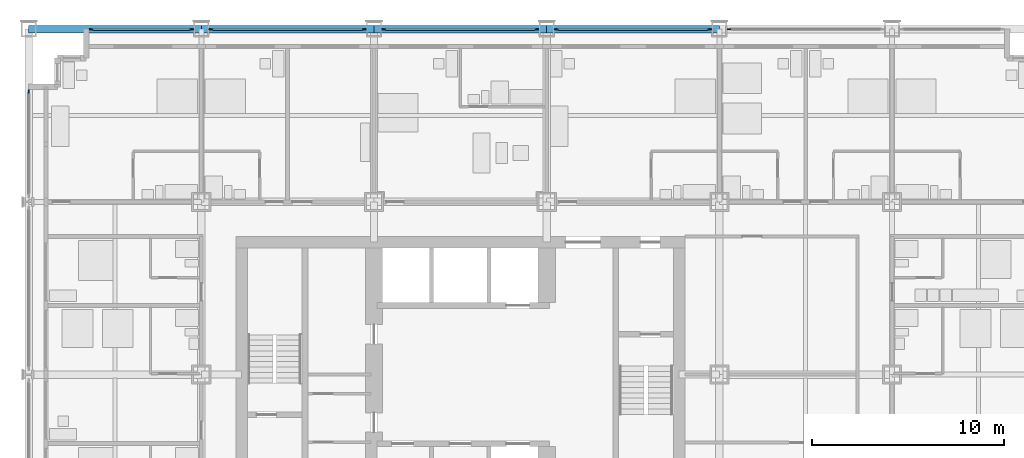
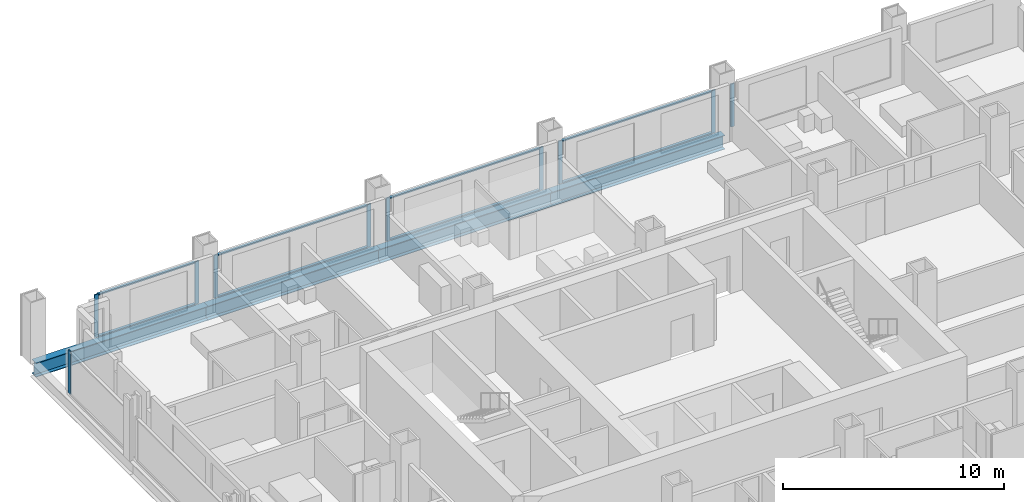
# One storey, part 7 of 19: 18 members, 4 beams, 6 elements without a shape of their own.
"""IFC4 building model written with IfcOpenShell, lengths in metres."""

import ifcopenshell
import ifcopenshell.guid

model = None  # the IFC model being written
_history = None  # IfcOwnerHistory: only IFC2X3 demands one
_inside = {}  # id of a spatial element -> (the spatial element, [elements in it])
_under = {}  # id of a project, library or spatial element -> (it, [spatial elements below it])
_declared = {}  # id of a project -> (the project, [libraries it declares])
_typed = {}  # id of a type object -> (the type object, [elements of that type])
_made_of = {}  # id of a material, layer set ... -> (it, [elements and type objects made of it])


def new_model(schema):
    """Start an empty IFC model of exactly this schema.

    Asked for "IFC4X3", IfcOpenShell would pick the latest addendum, in which some entities
    have other attributes; the version numbers below select the first issue.
    IFC2X3 requires an IfcOwnerHistory on every rooted entity: one is made here for all.
    """
    global model, _history
    if schema == "IFC4X3":
        model = ifcopenshell.file(schema_version=(4, 3, 0, 0))
    else:
        model = ifcopenshell.file(schema=schema)
    _inside.clear()
    _under.clear()
    _declared.clear()
    _typed.clear()
    _made_of.clear()
    _history = None
    if model.schema == "IFC2X3":
        org = make("IfcOrganization", Name="unknown")
        user = make(
            "IfcPersonAndOrganization",
            ThePerson=make("IfcPerson", FamilyName="unknown"),
            TheOrganization=org,
        )
        app = make(
            "IfcApplication",
            ApplicationDeveloper=org,
            Version="unknown",
            ApplicationFullName="unknown",
            ApplicationIdentifier="unknown",
        )
        _history = make(
            "IfcOwnerHistory",
            OwningUser=user,
            OwningApplication=app,
            ChangeAction="ADDED",
            CreationDate=0,
        )
    return model


def make(cls, **values):
    """One entity of the class cls with the attributes given. An attribute that is None is left unset."""
    return model.create_entity(
        cls, **{name: value for name, value in values.items() if value is not None}
    )


def rooted(cls, **values):
    """An entity with a GlobalId (a new one), such as an element, a storey or a relation."""
    return make(cls, GlobalId=ifcopenshell.guid.new(), OwnerHistory=_history, **values)


def si_unit(unit_type, name, prefix=None):
    """IfcSIUnit, for example si_unit("LENGTHUNIT", "METRE", prefix="MILLI")."""
    return make("IfcSIUnit", UnitType=unit_type, Prefix=prefix, Name=name)


def assignment(units):
    """IfcUnitAssignment: the units of a project."""
    return None if units is None else make("IfcUnitAssignment", Units=units)


def point(xyz):
    """IfcCartesianPoint."""
    return None if xyz is None else make("IfcCartesianPoint", Coordinates=xyz)


def direction(xyz):
    """IfcDirection."""
    return None if xyz is None else make("IfcDirection", DirectionRatios=xyz)


def frame(location, z_axis=None, x_axis=None):
    """IfcAxis2Placement3D, a coordinate frame: its origin and axes. An axis left out is left unset."""
    return make(
        "IfcAxis2Placement3D",
        Location=point(location),
        Axis=direction(z_axis),
        RefDirection=direction(x_axis),
    )


def frame_2d(location, x_axis=None):
    """IfcAxis2Placement2D, a coordinate frame in the plane: its origin and x axis."""
    return make(
        "IfcAxis2Placement2D", Location=point(location), RefDirection=direction(x_axis)
    )


def origin():
    """The frame at (0, 0, 0) with its axes left unset."""
    return frame((0.0, 0.0, 0.0))


def origin_2d():
    """The frame at (0, 0) in the plane with its x axis left unset."""
    return frame_2d((0.0, 0.0))


def place(relative_to, where):
    """IfcLocalPlacement: puts the frame where relative to a parent placement (None: the world)."""
    return make(
        "IfcLocalPlacement", PlacementRelTo=relative_to, RelativePlacement=where
    )


def context(
    kind, dimensions, precision=None, world=None, true_north=None, identifier=None
):
    """IfcGeometricRepresentationContext, for example the 3D "Model" context."""
    return make(
        "IfcGeometricRepresentationContext",
        ContextIdentifier=identifier,
        ContextType=kind,
        CoordinateSpaceDimension=dimensions,
        Precision=precision,
        WorldCoordinateSystem=world,
        TrueNorth=true_north,
    )


def subcontext(parent, identifier, kind, view, scale=None):
    """IfcGeometricRepresentationSubContext, for example "Body" below "Model"."""
    return make(
        "IfcGeometricRepresentationSubContext",
        ContextIdentifier=identifier,
        ContextType=kind,
        ParentContext=parent,
        TargetScale=scale,
        TargetView=view,
    )


def project(units=None, contexts=None):
    """IfcProject with its units and contexts."""
    return rooted(
        "IfcProject",
        Name="project",
        RepresentationContexts=contexts,
        UnitsInContext=assignment(units),
    )


def spatial(cls, under=None, at=None, **own):
    """A site, building, storey or space (cls), placed at a placement, below another one or the project."""
    s = rooted(cls, ObjectPlacement=at, **own)
    if under is not None:
        _under.setdefault(under.id(), (under, []))[1].append(s)
    return s


def profile(cls, at=None, kind="AREA", **sizes):
    """A parametric profile (cls). Its sizes go by their IFC names, for example OverallWidth=200.0."""
    return make(cls, ProfileType=kind, Position=at, **sizes)


def rectangle(**sizes):
    """IfcRectangleProfileDef."""
    return profile("IfcRectangleProfileDef", **sizes)


def i_section(**sizes):
    """IfcIShapeProfileDef."""
    return profile("IfcIShapeProfileDef", **sizes)


def extrude(swept, where, along, depth):
    """IfcExtrudedAreaSolid: the profile swept, set in the frame where, extruded along a direction by depth."""
    return make(
        "IfcExtrudedAreaSolid",
        SweptArea=swept,
        Position=where,
        ExtrudedDirection=direction(along),
        Depth=depth,
    )


def shape(context_of_items, identifier, shape_type, items):
    """IfcShapeRepresentation: the items that make up one representation, for example the "Body"."""
    return make(
        "IfcShapeRepresentation",
        ContextOfItems=context_of_items,
        RepresentationIdentifier=identifier,
        RepresentationType=shape_type,
        Items=items,
    )


def material(Name=None, Category=None):
    """IfcMaterial."""
    return make("IfcMaterial", Name=Name, Category=Category)


def material_profile(
    of_material, cross_section, Name=None, Category=None, Priority=None
):
    """IfcMaterialProfile: a cross section and its material."""
    return make(
        "IfcMaterialProfile",
        Name=Name,
        Material=of_material,
        Profile=cross_section,
        Priority=Priority,
        Category=Category,
    )


def profile_set(profiles, Name=None, composite=None):
    """IfcMaterialProfileSet."""
    return make(
        "IfcMaterialProfileSet",
        Name=Name,
        MaterialProfiles=profiles,
        CompositeProfile=composite,
    )


def made_of(thing, what):
    """Note that an element or type object is made of a material, layer set ...; save() writes the relation."""
    if what is not None:
        _made_of.setdefault(what.id(), (what, []))[1].append(thing)
    return thing


def type_object(cls, material=None, **own):
    """A type object (cls), such as IfcWallType, which elements share."""
    return made_of(rooted(cls, **own), material)


def element(
    cls,
    number,
    at=None,
    inside=None,
    cuts=None,
    type_object=None,
    material=None,
    context=None,
    identifier="Body",
    shape_type=None,
    held_by="IfcProductDefinitionShape",
    body=None,
    shapes=None,
    **own,
):
    """One element of the class cls, such as IfcWall. Its Tag is "e" and its number.

    at: its placement. inside: the storey or other place that contains it. cuts: it is an
    opening in that element (IfcRelVoidsElement). A single representation is given by context,
    identifier, shape_type and body (its items); several are given by shapes. held_by: the class
    of the entity that holds the representations. save() writes the other relations.
    """
    e = rooted(cls, Tag="e%d" % number, ObjectPlacement=at, **own)
    if body is not None:
        shapes = [shape(context, identifier, shape_type, body)]
    if shapes is not None:
        e.Representation = make(held_by, Representations=shapes)
    if inside is not None:
        _inside.setdefault(inside.id(), (inside, []))[1].append(e)
    if cuts is not None:
        rooted(
            "IfcRelVoidsElement", RelatingBuildingElement=cuts, RelatedOpeningElement=e
        )
    if type_object is not None:
        _typed.setdefault(type_object.id(), (type_object, []))[1].append(e)
    return made_of(e, material)


def aggregate(whole, parts):
    """IfcRelAggregates: a whole, such as a stair, and the parts it consists of."""
    return rooted("IfcRelAggregates", RelatingObject=whole, RelatedObjects=parts)


def save(model, path):
    """Write the relations noted so far, then the file.

    IfcRelAggregates (storeys below a building ...), IfcRelContainedInSpatialStructure (elements
    in a storey), IfcRelDefinesByType, IfcRelAssociatesMaterial and IfcRelDeclares: one each for
    every whole, place, type object, material and project.
    """
    for whole, parts in _under.values():
        aggregate(whole, parts)
    for where, things in _inside.values():
        rooted(
            "IfcRelContainedInSpatialStructure",
            RelatedElements=things,
            RelatingStructure=where,
        )
    for kind, things in _typed.values():
        rooted("IfcRelDefinesByType", RelatedObjects=things, RelatingType=kind)
    for what, things in _made_of.values():
        rooted("IfcRelAssociatesMaterial", RelatedObjects=things, RelatingMaterial=what)
    for by, libraries in _declared.values():
        rooted("IfcRelDeclares", RelatingContext=by, RelatedDefinitions=libraries)
    model.write(path)


model = new_model("IFC4")

# Units and contexts
model_context = context("Model", 3, precision=1e-05, world=origin(), true_north=direction((0.0, 1.0)))
body_context = subcontext(model_context, "Body", "Model", "MODEL_VIEW")
ifc_project = project(units=[si_unit("LENGTHUNIT", "METRE"), si_unit("AREAUNIT", "SQUARE_METRE"), si_unit("VOLUMEUNIT", "CUBIC_METRE"), si_unit("PLANEANGLEUNIT", "RADIAN"), si_unit("MASSUNIT", "GRAM", prefix="KILO")], contexts=[model_context])

# Site, building, storey
site_placement = place(None, origin())
site = spatial("IfcSite", under=ifc_project, at=site_placement, CompositionType="ELEMENT")
building_placement = place(site_placement, origin())
building = spatial("IfcBuilding", under=site, at=building_placement, Name="Loomwork Tower", CompositionType="ELEMENT")
storey_placement = place(building_placement, frame((0.0, 0.0, 85.800048828125)))
storey = spatial("IfcBuildingStorey", under=building, at=storey_placement, Name="L22", CompositionType="ELEMENT", Elevation=85.800048828125)

# Curtain wall, members
ifc_material_1 = material(Name="Aluminium curtain wall frame", Category="aluminium")
curtain_wall_type = type_object("IfcCurtainWallType", Name="Outer skin glazing hotel", PredefinedType="NOTDEFINED", material=ifc_material_1)
curtain_wall_1_placement = place(storey_placement, origin())
curtain_wall_1 = element("IfcCurtainWall", 1, at=curtain_wall_1_placement, inside=storey, type_object=curtain_wall_type, Name="Outer skin glazing hotel cw/N-0", PredefinedType="NOTDEFINED")
ifc_material_2 = material(Name="Aluminium curtain wall frame", Category="aluminium")
ifc_material_profile_1 = material_profile(ifc_material_2, rectangle(XDim=0.06494140625, YDim=0.199951171875, at=origin_2d()), Name="AL 65x200")
ifc_profile_set_1 = profile_set([ifc_material_profile_1], Name="Aluminium curtain wall frame")
member_type_1 = type_object("IfcMemberType", Name="Outer skin glazing hotel mullion", PredefinedType="MULLION", material=ifc_profile_set_1)
member_1_placement = place(storey_placement, frame((8.5, 36.0, 0.0), z_axis=(0.0, 0.0, 1.0), x_axis=(0.0, -1.0, 0.0)))
member_1 = element("IfcMember", 2, at=member_1_placement, type_object=member_type_1, Name="CW1 mullion 1", PredefinedType="MULLION", context=body_context, shape_type="SweptSolid", body=[
    extrude(rectangle(XDim=0.06494140625, YDim=0.199951171875, at=origin_2d()), origin(), (0.0, 0.0, 1.0), 2.3701171875),
])
member_2_placement = place(storey_placement, frame((3.25, 36.0, 0.0), z_axis=(0.0, 0.0, 1.0), x_axis=(0.0, -1.0, 0.0)))
member_2 = element("IfcMember", 3, at=member_2_placement, type_object=member_type_1, Name="CW1 mullion 2", PredefinedType="MULLION", context=body_context, shape_type="SweptSolid", body=[
    extrude(rectangle(XDim=0.06494140625, YDim=0.199951171875, at=origin_2d()), origin(), (0.0, 0.0, 1.0), 2.3701171875),
])

curtain_wall_2_placement = place(storey_placement, origin())
curtain_wall_2 = element("IfcCurtainWall", 4, at=curtain_wall_2_placement, inside=storey, type_object=curtain_wall_type, Name="Outer skin glazing hotel cw/N-9", PredefinedType="NOTDEFINED")
member_3_placement = place(storey_placement, frame((17.5, 36.0, 0.0), z_axis=(0.0, 0.0, 1.0), x_axis=(0.0, -1.0, 0.0)))
member_3 = element("IfcMember", 5, at=member_3_placement, type_object=member_type_1, Name="CW1 mullion 1", PredefinedType="MULLION", context=body_context, shape_type="SweptSolid", body=[
    extrude(rectangle(XDim=0.06494140625, YDim=0.199951171875, at=origin_2d()), origin(), (0.0, 0.0, 1.0), 2.3701171875),
])
member_4_placement = place(storey_placement, frame((9.5, 36.0, 0.0), z_axis=(0.0, 0.0, 1.0), x_axis=(0.0, -1.0, 0.0)))
member_4 = element("IfcMember", 6, at=member_4_placement, type_object=member_type_1, Name="CW1 mullion 2", PredefinedType="MULLION", context=body_context, shape_type="SweptSolid", body=[
    extrude(rectangle(XDim=0.06494140625, YDim=0.199951171875, at=origin_2d()), origin(), (0.0, 0.0, 1.0), 2.3701171875),
])

curtain_wall_3_placement = place(storey_placement, origin())
curtain_wall_3 = element("IfcCurtainWall", 7, at=curtain_wall_3_placement, inside=storey, type_object=curtain_wall_type, Name="Outer skin glazing hotel cw/N-18", PredefinedType="NOTDEFINED")
member_5_placement = place(storey_placement, frame((26.5, 36.0, 0.0), z_axis=(0.0, 0.0, 1.0), x_axis=(0.0, -1.0, 0.0)))
member_5 = element("IfcMember", 8, at=member_5_placement, type_object=member_type_1, Name="CW1 mullion 1", PredefinedType="MULLION", context=body_context, shape_type="SweptSolid", body=[
    extrude(rectangle(XDim=0.06494140625, YDim=0.199951171875, at=origin_2d()), origin(), (0.0, 0.0, 1.0), 2.3701171875),
])
member_6_placement = place(storey_placement, frame((18.5, 36.0, 0.0), z_axis=(0.0, 0.0, 1.0), x_axis=(0.0, -1.0, 0.0)))
member_6 = element("IfcMember", 9, at=member_6_placement, type_object=member_type_1, Name="CW1 mullion 2", PredefinedType="MULLION", context=body_context, shape_type="SweptSolid", body=[
    extrude(rectangle(XDim=0.06494140625, YDim=0.199951171875, at=origin_2d()), origin(), (0.0, 0.0, 1.0), 2.3701171875),
])

curtain_wall_4_placement = place(storey_placement, origin())
curtain_wall_4 = element("IfcCurtainWall", 10, at=curtain_wall_4_placement, inside=storey, type_object=curtain_wall_type, Name="Outer skin glazing hotel cw/N-27", PredefinedType="NOTDEFINED")
member_7_placement = place(storey_placement, frame((35.5, 36.0, 0.0), z_axis=(0.0, 0.0, 1.0), x_axis=(0.0, -1.0, 0.0)))
member_7 = element("IfcMember", 11, at=member_7_placement, type_object=member_type_1, Name="CW1 mullion 1", PredefinedType="MULLION", context=body_context, shape_type="SweptSolid", body=[
    extrude(rectangle(XDim=0.06494140625, YDim=0.199951171875, at=origin_2d()), origin(), (0.0, 0.0, 1.0), 2.3701171875),
])
member_8_placement = place(storey_placement, frame((27.5, 36.0, 0.0), z_axis=(0.0, 0.0, 1.0), x_axis=(0.0, -1.0, 0.0)))
member_8 = element("IfcMember", 12, at=member_8_placement, type_object=member_type_1, Name="CW1 mullion 2", PredefinedType="MULLION", context=body_context, shape_type="SweptSolid", body=[
    extrude(rectangle(XDim=0.06494140625, YDim=0.199951171875, at=origin_2d()), origin(), (0.0, 0.0, 1.0), 2.3701171875),
])

# Curtain wall, member
curtain_wall_5_placement = place(storey_placement, origin())
curtain_wall_5 = element("IfcCurtainWall", 13, at=curtain_wall_5_placement, inside=storey, type_object=curtain_wall_type, Name="Outer skin glazing hotel cw/N-36", PredefinedType="NOTDEFINED")
member_9_placement = place(storey_placement, frame((36.5, 36.0, 0.0), z_axis=(0.0, 0.0, 1.0), x_axis=(0.0, -1.0, 0.0)))
member_9 = element("IfcMember", 14, at=member_9_placement, type_object=member_type_1, Name="CW1 mullion 2", PredefinedType="MULLION", context=body_context, shape_type="SweptSolid", body=[
    extrude(rectangle(XDim=0.06494140625, YDim=0.199951171875, at=origin_2d()), origin(), (0.0, 0.0, 1.0), 2.3701171875),
])
aggregate(curtain_wall_5, [member_9])

curtain_wall_6_placement = place(storey_placement, origin())
curtain_wall_6 = element("IfcCurtainWall", 15, at=curtain_wall_6_placement, inside=storey, type_object=curtain_wall_type, Name="Outer skin glazing hotel cw/W-27", PredefinedType="NOTDEFINED")
member_10_placement = place(storey_placement, frame((0.0, 32.75, 0.0), z_axis=(0.0, 0.0, 1.0), x_axis=(1.0, 0.0, 0.0)))
member_10 = element("IfcMember", 16, at=member_10_placement, type_object=member_type_1, Name="CW1 mullion 1", PredefinedType="MULLION", context=body_context, shape_type="SweptSolid", body=[
    extrude(rectangle(XDim=0.06494140625, YDim=0.199951171875, at=origin_2d()), origin(), (0.0, 0.0, 1.0), 2.3701171875),
])
aggregate(curtain_wall_6, [member_10])

# Member
ifc_material_3 = material(Name="Aluminium curtain wall frame", Category="aluminium")
ifc_material_profile_2 = material_profile(ifc_material_3, rectangle(XDim=0.14990234375, YDim=0.06494140625, at=origin_2d()), Name="AL 65x150")
ifc_profile_set_2 = profile_set([ifc_material_profile_2], Name="Aluminium curtain wall frame")
member_type_2 = type_object("IfcMemberType", Name="Outer skin glazing hotel transom", PredefinedType="USERDEFINED", material=ifc_profile_set_2)
member_11_placement = place(storey_placement, frame((8.39990234375, 36.0, 0.032470703125), z_axis=(-1.0, 0.0, 0.0), x_axis=(0.0, -1.0, 0.0)))
member_11 = element("IfcMember", 17, at=member_11_placement, type_object=member_type_2, Name="CW1 transom 1.1", ObjectType="TRANSOM", PredefinedType="USERDEFINED", context=body_context, shape_type="SweptSolid", body=[
    extrude(rectangle(XDim=0.14990234375, YDim=0.06494140625, at=origin_2d()), origin(), (0.0, 0.0, 1.0), 5.0498046875),
])

member_12_placement = place(storey_placement, frame((8.39990234375, 36.0, 2.337646484375), z_axis=(-1.0, 0.0, 0.0), x_axis=(0.0, -1.0, 0.0)))
member_12 = element("IfcMember", 18, at=member_12_placement, type_object=member_type_2, Name="CW1 transom 1.2", ObjectType="TRANSOM", PredefinedType="USERDEFINED", context=body_context, shape_type="SweptSolid", body=[
    extrude(rectangle(XDim=0.14990234375, YDim=0.06494140625, at=origin_2d()), origin(), (0.0, 0.0, 1.0), 5.0498046875),
])

aggregate(curtain_wall_1, [member_1, member_2, member_11, member_12])

member_13_placement = place(storey_placement, frame((17.39990234375, 36.0, 0.032470703125), z_axis=(-1.0, 0.0, 0.0), x_axis=(0.0, -1.0, 0.0)))
member_13 = element("IfcMember", 19, at=member_13_placement, type_object=member_type_2, Name="CW1 transom 1.1", ObjectType="TRANSOM", PredefinedType="USERDEFINED", context=body_context, shape_type="SweptSolid", body=[
    extrude(rectangle(XDim=0.14990234375, YDim=0.06494140625, at=origin_2d()), origin(), (0.0, 0.0, 1.0), 7.7998046875),
])

member_14_placement = place(storey_placement, frame((17.39990234375, 36.0, 2.337646484375), z_axis=(-1.0, 0.0, 0.0), x_axis=(0.0, -1.0, 0.0)))
member_14 = element("IfcMember", 20, at=member_14_placement, type_object=member_type_2, Name="CW1 transom 1.2", ObjectType="TRANSOM", PredefinedType="USERDEFINED", context=body_context, shape_type="SweptSolid", body=[
    extrude(rectangle(XDim=0.14990234375, YDim=0.06494140625, at=origin_2d()), origin(), (0.0, 0.0, 1.0), 7.7998046875),
])

aggregate(curtain_wall_2, [member_3, member_4, member_13, member_14])

member_15_placement = place(storey_placement, frame((26.39990234375, 36.0, 0.032470703125), z_axis=(-1.0, 0.0, 0.0), x_axis=(0.0, -1.0, 0.0)))
member_15 = element("IfcMember", 21, at=member_15_placement, type_object=member_type_2, Name="CW1 transom 1.1", ObjectType="TRANSOM", PredefinedType="USERDEFINED", context=body_context, shape_type="SweptSolid", body=[
    extrude(rectangle(XDim=0.14990234375, YDim=0.06494140625, at=origin_2d()), origin(), (0.0, 0.0, 1.0), 7.7998046875),
])

member_16_placement = place(storey_placement, frame((26.39990234375, 36.0, 2.337646484375), z_axis=(-1.0, 0.0, 0.0), x_axis=(0.0, -1.0, 0.0)))
member_16 = element("IfcMember", 22, at=member_16_placement, type_object=member_type_2, Name="CW1 transom 1.2", ObjectType="TRANSOM", PredefinedType="USERDEFINED", context=body_context, shape_type="SweptSolid", body=[
    extrude(rectangle(XDim=0.14990234375, YDim=0.06494140625, at=origin_2d()), origin(), (0.0, 0.0, 1.0), 7.7998046875),
])

aggregate(curtain_wall_3, [member_5, member_6, member_15, member_16])

member_17_placement = place(storey_placement, frame((35.39990234375, 36.0, 0.032470703125), z_axis=(-1.0, 0.0, 0.0), x_axis=(0.0, -1.0, 0.0)))
member_17 = element("IfcMember", 23, at=member_17_placement, type_object=member_type_2, Name="CW1 transom 1.1", ObjectType="TRANSOM", PredefinedType="USERDEFINED", context=body_context, shape_type="SweptSolid", body=[
    extrude(rectangle(XDim=0.14990234375, YDim=0.06494140625, at=origin_2d()), origin(), (0.0, 0.0, 1.0), 7.7998046875),
])

member_18_placement = place(storey_placement, frame((35.39990234375, 36.0, 2.337646484375), z_axis=(-1.0, 0.0, 0.0), x_axis=(0.0, -1.0, 0.0)))
member_18 = element("IfcMember", 24, at=member_18_placement, type_object=member_type_2, Name="CW1 transom 1.2", ObjectType="TRANSOM", PredefinedType="USERDEFINED", context=body_context, shape_type="SweptSolid", body=[
    extrude(rectangle(XDim=0.14990234375, YDim=0.06494140625, at=origin_2d()), origin(), (0.0, 0.0, 1.0), 7.7998046875),
])

aggregate(curtain_wall_4, [member_7, member_8, member_17, member_18])

# Beams
ifc_material_4 = material(Name="Steel ASTM A992", Category="steel")
ifc_material_profile_3 = material_profile(ifc_material_4, i_section(OverallWidth=0.381103515625, OverallDepth=0.77978515625, WebThickness=0.01806640625, FlangeThickness=0.0302734375, at=origin_2d()), Name="W30x191")
ifc_profile_set_3 = profile_set([ifc_material_profile_3], Name="Steel ASTM A992")
beam_type = type_object("IfcBeamType", Name="SPANDREL GIRDER W30x191", PredefinedType="SPANDREL", material=ifc_profile_set_3)
for number, where, z_axis, x_axis, name in (
    (25, (0.0, 36.0, -0.58984375), (1.0, 0.0, 0.0), (0.0, 1.0, 0.0), "Spandrel Girder H/2-H/3 L22"),
    (26, (9.0, 36.0, -0.58984375), (1.0, 0.0, 0.0), (0.0, 1.0, 0.0), "Spandrel Girder H/3-H/4 L22"),
    (27, (18.0, 36.0, -0.58984375), (1.0, 0.0, 0.0), (0.0, 1.0, 0.0), "Spandrel Girder H/4-H/5 L22"),
    (28, (27.0, 36.0, -0.58984375), (1.0, 0.0, 0.0), (0.0, 1.0, 0.0), "Spandrel Girder H/5-H/6 L22"),
):
    element("IfcBeam", number, at=place(storey_placement, frame(where, z_axis=z_axis, x_axis=x_axis)), inside=storey, type_object=beam_type, Name=name, PredefinedType="SPANDREL", context=body_context, shape_type="SweptSolid", body=[
        extrude(i_section(OverallWidth=0.381103515625, OverallDepth=0.77978515625, WebThickness=0.01806640625, FlangeThickness=0.0302734375, at=origin_2d()), origin(), (0.0, 0.0, 1.0), 9.0),
    ])

save(model, "model.ifc")
